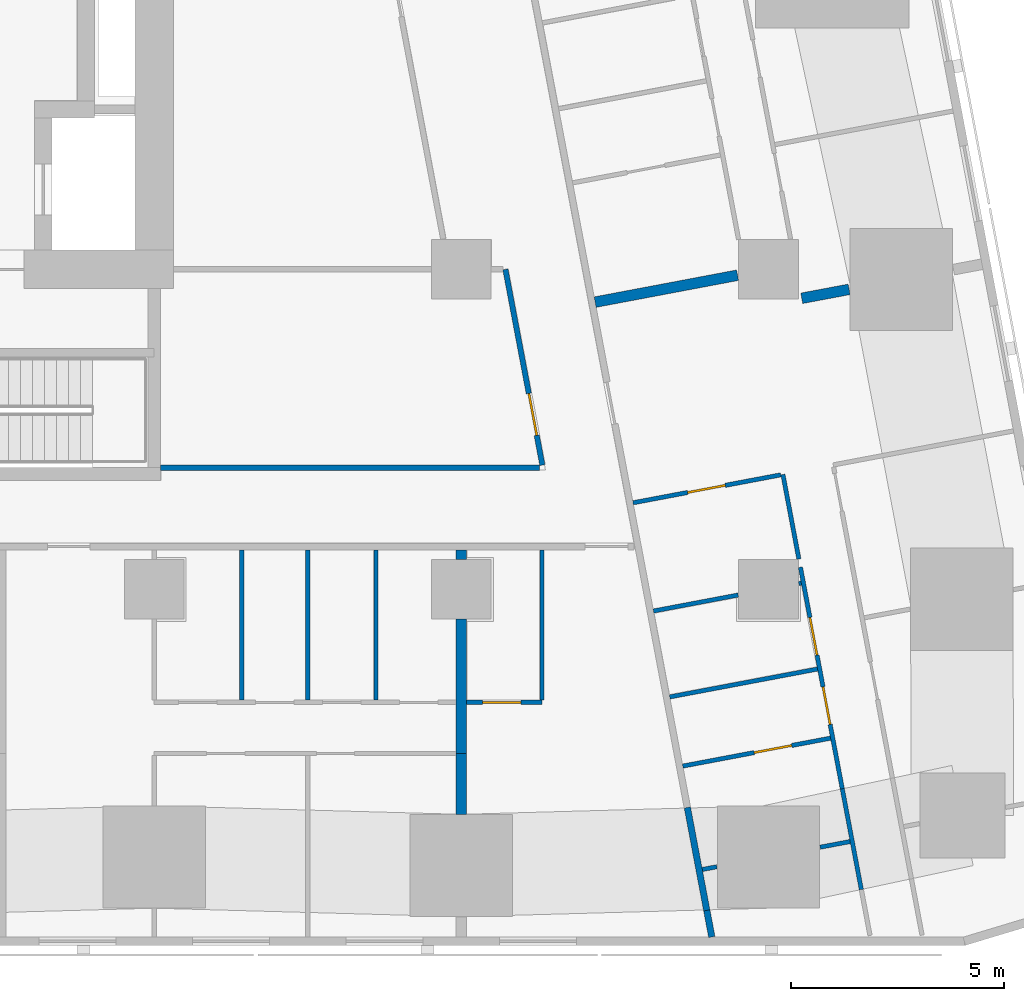
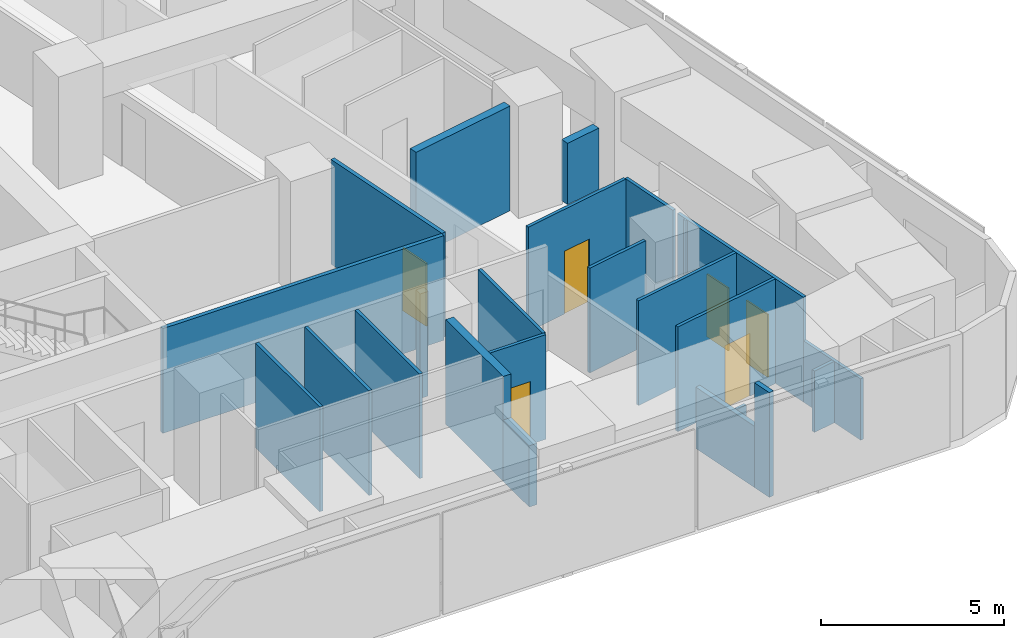
# One storey, part 3 of 10: 24 walls, 6 doors, 6 openings.
"""IFC4 building model written with IfcOpenShell, lengths in metres."""

from ifc_helpers import new_model, si_unit, direction, frame, frame_2d, origin, place, context, subcontext, project, spatial, rectangle, extrude, material, layer, layer_set, type_object, element, fill, save


model = new_model("IFC4")

# Units and contexts
model_context = context("Model", 3, precision=1e-05, world=origin(), true_north=direction((0.0, 1.0)))
body_context = subcontext(model_context, "Body", "Model", "MODEL_VIEW")
ifc_project = project(units=[si_unit("LENGTHUNIT", "METRE"), si_unit("AREAUNIT", "SQUARE_METRE"), si_unit("VOLUMEUNIT", "CUBIC_METRE"), si_unit("PLANEANGLEUNIT", "RADIAN"), si_unit("MASSUNIT", "GRAM", prefix="KILO")], contexts=[model_context])

# Site, building, storey
site_placement = place(None, origin())
site = spatial("IfcSite", under=ifc_project, at=site_placement, CompositionType="ELEMENT")
building_placement = place(site_placement, origin())
building = spatial("IfcBuilding", under=site, at=building_placement, Name="Sheger Commons Tower", CompositionType="ELEMENT")
storey_placement = place(building_placement, frame((0.0, 0.0, 231.199951171875)))
storey = spatial("IfcBuildingStorey", under=building, at=storey_placement, Name="L59", CompositionType="ELEMENT", Elevation=231.199951171875)

# Walls
ifc_material_1 = material(Name="Hollow concrete block masonry, skimmed both sides", Category="masonry")
ifc_layer_1 = layer(ifc_material_1, 0.14990234375)
ifc_layer_set_1 = layer_set([ifc_layer_1], Name="CORRIDOR WALL 150")
wall_type_1 = type_object("IfcWallType", Name="CORRIDOR WALL 150", PredefinedType="SOLIDWALL", material=ifc_layer_set_1)
wall_1_placement = place(storey_placement, frame((41.299072265625, 2.385009765625, 0.0), z_axis=(0.0, 0.0, 1.0), x_axis=(0.18529731833, -0.982682504077, 0.0)))
element("IfcWall", 1, at=wall_1_placement, inside=storey, type_object=wall_type_1, Name="Corridor wall L59", PredefinedType="SOLIDWALL", context=body_context, shape_type="SweptSolid", body=[
    extrude(rectangle(XDim=2.45458984375, YDim=0.14990234375, at=frame_2d((1.227294921875, 0.0))), origin(), (0.0, 0.0, 1.0), 2.050048828125),
])
wall_2_placement = place(storey_placement, frame((41.75390625, -0.027099609375, 0.0), z_axis=(0.0, 0.0, 1.0), x_axis=(0.186404157015, -0.982473149886, 0.0)))
element("IfcWall", 2, at=wall_2_placement, inside=storey, type_object=wall_type_1, Name="Corridor wall L59", PredefinedType="SOLIDWALL", context=body_context, shape_type="SweptSolid", body=[
    extrude(rectangle(XDim=0.634033203125, YDim=0.14990234375, at=frame_2d((0.31689453125, 0.0))), origin(), (0.0, 0.0, 1.0), 3.5),
])
ifc_material_2 = material(Name="Dense concrete block masonry, plastered both sides (separating wall between flats)", Category="masonry")
ifc_layer_2 = layer(ifc_material_2, 0.25)
ifc_layer_set_2 = layer_set([ifc_layer_2], Name="DEMISING WALL 250")
wall_type_2 = type_object("IfcWallType", Name="DEMISING WALL 250", PredefinedType="SOLIDWALL", material=ifc_layer_set_2)
wall_3_placement = place(storey_placement, frame((36.0, 2.22607421875, 0.0), z_axis=(0.0, 0.0, 1.0), x_axis=(0.0, 1.0, 0.0)))
element("IfcWall", 3, at=wall_3_placement, inside=storey, type_object=wall_type_2, Name="Demising wall L59", PredefinedType="SOLIDWALL", context=body_context, shape_type="SweptSolid", body=[
    extrude(rectangle(XDim=1.423828125, YDim=0.25, at=frame_2d((0.7119140625, 0.0))), origin(), (0.0, 0.0, 1.0), 2.050048828125),
])
wall_4_placement = place(storey_placement, frame((36.0, 3.64990234375, 0.0), z_axis=(0.0, 0.0, 1.0), x_axis=(0.0, 1.0, 0.0)))
element("IfcWall", 4, at=wall_4_placement, inside=storey, type_object=wall_type_2, Name="Demising wall L59", PredefinedType="SOLIDWALL", context=body_context, shape_type="SweptSolid", body=[
    extrude(rectangle(XDim=3.149169921875, YDim=0.25, at=frame_2d((1.57470703125, 0.0))), origin(), (0.0, 0.0, 1.0), 3.5),
])
wall_5_placement = place(storey_placement, frame((36.0, 8.200927734375, 0.0), z_axis=(0.0, 0.0, 1.0), x_axis=(0.0, 1.0, 0.0)))
element("IfcWall", 5, at=wall_5_placement, inside=storey, type_object=wall_type_2, Name="Demising wall L59", PredefinedType="SOLIDWALL", context=body_context, shape_type="SweptSolid", body=[
    extrude(rectangle(XDim=0.22412109375, YDim=0.25, at=frame_2d((0.112060546875, 0.0))), origin(), (0.0, 0.0, 1.0), 3.5),
])
wall_6_placement = place(storey_placement, frame((45.090087890625, 14.531005859375, 0.0), z_axis=(0.0, 0.0, 1.0), x_axis=(-0.982737354171, -0.185006196431, 0.0)))
element("IfcWall", 6, at=wall_6_placement, inside=storey, type_object=wall_type_2, Name="Demising wall L59", PredefinedType="SOLIDWALL", context=body_context, shape_type="SweptSolid", body=[
    extrude(rectangle(XDim=1.129638671875, YDim=0.25, at=frame_2d((0.56494140625, 0.0))), origin(), (0.0, 0.0, 1.0), 2.050048828125),
])
wall_7_placement = place(storey_placement, frame((42.47607421875, 14.863037109375, 0.0), z_axis=(0.0, 0.0, 1.0), x_axis=(-0.982603567712, -0.185715450942, 0.0)))
element("IfcWall", 7, at=wall_7_placement, inside=storey, type_object=wall_type_2, Name="Demising wall L59", PredefinedType="SOLIDWALL", context=body_context, shape_type="SweptSolid", body=[
    extrude(rectangle(XDim=3.398193359375, YDim=0.25, at=frame_2d((1.69921875, 0.0))), origin(), (0.0, 0.0, 1.0), 3.5),
])
ifc_material_3 = material(Name="Gypsum board on steel studs", Category="steel")
ifc_layer_3 = layer(ifc_material_3, 0.10009765625)
ifc_layer_set_3 = layer_set([ifc_layer_3], Name="PARTITION 100")
wall_type_3 = type_object("IfcWallType", Name="PARTITION 100", PredefinedType="PARTITIONING", material=ifc_layer_set_3)
for number, where, z_axis, x_axis, name in (
    (8, (32.39990234375, 4.89990234375, 0.0), (0.0, 0.0, 1.0), (0.0, 1.0, 0.0), "Partition L59"),
    (9, (30.85009765625, 4.89990234375, 0.0), (0.0, 0.0, 1.0), (0.0, 1.0, 0.0), "Partition L59"),
    (10, (34.0, 4.89990234375, 0.0), (0.0, 0.0, 1.0), (0.0, 1.0, 0.0), "Partition L59"),
):
    element("IfcWall", number, at=place(storey_placement, frame(where, z_axis=z_axis, x_axis=x_axis)), inside=storey, type_object=wall_type_3, Name=name, PredefinedType="PARTITIONING", context=body_context, shape_type="SweptSolid", body=[
        extrude(rectangle(XDim=3.525146484375, YDim=0.10009765625, at=frame_2d((1.7626953125, 0.0))), origin(), (0.0, 0.0, 1.0), 3.5),
    ])

# Wall, opening, door
wall_8_placement = place(storey_placement, frame((37.889892578125, 4.85009765625, 0.0), z_axis=(0.0, 0.0, 1.0), x_axis=(-1.0, 0.0, 0.0)))
wall_8 = element("IfcWall", 11, at=wall_8_placement, inside=storey, type_object=wall_type_3, Name="Partition L59", PredefinedType="PARTITIONING", context=body_context, shape_type="SweptSolid", body=[
    extrude(rectangle(XDim=1.764892578125, YDim=0.10009765625, at=frame_2d((0.88232421875, 0.0))), origin(), (0.0, 0.0, 1.0), 3.5),
])
opening_1_placement = place(wall_8_placement, frame((0.489990234375, 0.0, 0.0)))
opening_1 = element("IfcOpeningElement", 12, at=opening_1_placement, cuts=wall_8, Name="Opening D2", PredefinedType="OPENING", context=body_context, shape_type="SweptSolid", body=[
    extrude(rectangle(XDim=0.89990234375, YDim=2.10009765625, at=frame_2d((0.449951171875, 1.050048828125))), frame((0.0, 0.06005859375, 0.0), z_axis=(0.0, -1.0, 0.0), x_axis=(1.0, 0.0, 0.0)), (0.0, 0.0, 1.0), 0.1201171875),
])
ifc_material_4 = material(Name="Timber door set", Category="wood")
door_type_1 = type_object("IfcDoorType", Name="INTERNAL DOOR 900x2100", OperationType="NOTDEFINED", PredefinedType="DOOR", material=ifc_material_4)
door_1_placement = place(opening_1_placement, origin())
door_1 = element("IfcDoor", 13, at=door_1_placement, inside=storey, type_object=door_type_1, Name="Shower room door", OperationType="SINGLE_SWING_LEFT", OverallHeight=2.10009765625, OverallWidth=0.89990234375, PredefinedType="DOOR", context=body_context, shape_type="SweptSolid", body=[
    extrude(rectangle(XDim=0.89990234375, YDim=2.10009765625, at=frame_2d((0.449951171875, 1.050048828125))), frame((0.0, 0.02490234375, 0.0), z_axis=(0.0, -1.0, 0.0), x_axis=(1.0, 0.0, 0.0)), (0.0, 0.0, 1.0), 0.050048828125),
])
fill(opening_1, door_1)

# Walls
wall_9_placement = place(storey_placement, frame((37.889892578125, 4.89990234375, 0.0), z_axis=(0.0, 0.0, 1.0), x_axis=(0.0, 1.0, 0.0)))
element("IfcWall", 14, at=wall_9_placement, inside=storey, type_object=wall_type_3, Name="Partition L59", PredefinedType="PARTITIONING", context=body_context, shape_type="SweptSolid", body=[
    extrude(rectangle(XDim=3.525146484375, YDim=0.10009765625, at=frame_2d((1.7626953125, 0.0))), origin(), (0.0, 0.0, 1.0), 3.5),
])
wall_10_placement = place(storey_placement, frame((43.5390625, 10.19189453125, 0.0), z_axis=(0.0, 0.0, 1.0), x_axis=(0.185443145218, -0.982654995353, 0.0)))
element("IfcWall", 15, at=wall_10_placement, inside=storey, type_object=wall_type_3, Name="Partition L59", PredefinedType="PARTITIONING", context=body_context, shape_type="SweptSolid", body=[
    extrude(rectangle(XDim=2.016845703125, YDim=0.10009765625, at=frame_2d((1.00830078125, 0.0))), origin(), (0.0, 0.0, 1.0), 3.5),
])

# Wall, openings, doors
wall_11_placement = place(storey_placement, frame((43.948974609375, 8.02001953125, 0.0), z_axis=(0.0, 0.0, 1.0), x_axis=(0.185656792073, -0.982614652627, 0.0)))
wall_11 = element("IfcWall", 16, at=wall_11_placement, inside=storey, type_object=wall_type_3, Name="Partition L59", PredefinedType="PARTITIONING", context=body_context, shape_type="SweptSolid", body=[
    extrude(rectangle(XDim=5.2890625, YDim=0.10009765625, at=frame_2d((2.64453125, 0.0))), origin(), (0.0, 0.0, 1.0), 3.5),
])
opening_2_placement = place(wall_11_placement, frame((1.199951171875, 0.0, 0.0)))
opening_2 = element("IfcOpeningElement", 17, at=opening_2_placement, cuts=wall_11, Name="Opening D2", PredefinedType="OPENING", context=body_context, shape_type="SweptSolid", body=[
    extrude(rectangle(XDim=0.89990234375, YDim=2.10009765625, at=frame_2d((0.449951171875, 1.050048828125))), frame((0.0, 0.06005859375, 0.0), z_axis=(0.0, -1.0, 0.0), x_axis=(1.0, 0.0, 0.0)), (0.0, 0.0, 1.0), 0.1201171875),
])
opening_3_placement = place(wall_11_placement, frame((2.85498046875, 0.0, 0.0)))
opening_3 = element("IfcOpeningElement", 18, at=opening_3_placement, cuts=wall_11, Name="Opening D2", PredefinedType="OPENING", context=body_context, shape_type="SweptSolid", body=[
    extrude(rectangle(XDim=0.89990234375, YDim=2.10009765625, at=frame_2d((0.449951171875, 1.050048828125))), frame((0.0, 0.06005859375, 0.0), z_axis=(0.0, -1.0, 0.0), x_axis=(1.0, 0.0, 0.0)), (0.0, 0.0, 1.0), 0.1201171875),
])
door_2_placement = place(opening_2_placement, origin())
door_2 = element("IfcDoor", 19, at=door_2_placement, inside=storey, type_object=door_type_1, Name="Bathroom door", OperationType="SINGLE_SWING_LEFT", OverallHeight=2.10009765625, OverallWidth=0.89990234375, PredefinedType="DOOR", context=body_context, shape_type="SweptSolid", body=[
    extrude(rectangle(XDim=0.89990234375, YDim=2.10009765625, at=frame_2d((0.449951171875, 1.050048828125))), frame((0.0, 0.02490234375, 0.0), z_axis=(0.0, -1.0, 0.0), x_axis=(1.0, 0.0, 0.0)), (0.0, 0.0, 1.0), 0.050048828125),
])
fill(opening_2, door_2)
door_3_placement = place(opening_3_placement, origin())
door_3 = element("IfcDoor", 20, at=door_3_placement, inside=storey, type_object=door_type_1, Name="Store door", OperationType="SINGLE_SWING_LEFT", OverallHeight=2.10009765625, OverallWidth=0.89990234375, PredefinedType="DOOR", context=body_context, shape_type="SweptSolid", body=[
    extrude(rectangle(XDim=0.89990234375, YDim=2.10009765625, at=frame_2d((0.449951171875, 1.050048828125))), frame((0.0, 0.02490234375, 0.0), z_axis=(0.0, -1.0, 0.0), x_axis=(1.0, 0.0, 0.0)), (0.0, 0.0, 1.0), 0.050048828125),
])
fill(opening_3, door_3)

# Wall
wall_12_placement = place(storey_placement, frame((44.930908203125, 2.822998046875, 0.0), z_axis=(0.0, 0.0, 1.0), x_axis=(0.185631845838, -0.982619365681, 0.0)))
element("IfcWall", 21, at=wall_12_placement, inside=storey, type_object=wall_type_3, Name="Partition L59", PredefinedType="PARTITIONING", context=body_context, shape_type="SweptSolid", body=[
    extrude(rectangle(XDim=2.40283203125, YDim=0.10009765625, at=frame_2d((1.201416015625, 0.0))), origin(), (0.0, 0.0, 1.0), 2.050048828125),
])

# Wall, opening, door
wall_13_placement = place(storey_placement, frame((43.489990234375, 10.18310546875, 0.0), z_axis=(0.0, 0.0, 1.0), x_axis=(-0.982588017646, -0.185797706064, 0.0)))
wall_13 = element("IfcWall", 22, at=wall_13_placement, inside=storey, type_object=wall_type_3, Name="Partition L59", PredefinedType="PARTITIONING", context=body_context, shape_type="SweptSolid", body=[
    extrude(rectangle(XDim=3.525390625, YDim=0.10009765625, at=frame_2d((1.7626953125, 0.0))), origin(), (0.0, 0.0, 1.0), 3.5),
])
opening_4_placement = place(wall_13_placement, frame((1.324951171875, 0.0, 0.0)))
opening_4 = element("IfcOpeningElement", 23, at=opening_4_placement, cuts=wall_13, Name="Opening D2", PredefinedType="OPENING", context=body_context, shape_type="SweptSolid", body=[
    extrude(rectangle(XDim=0.89990234375, YDim=2.10009765625, at=frame_2d((0.449951171875, 1.050048828125))), frame((0.0, 0.06005859375, 0.0), z_axis=(0.0, -1.0, 0.0), x_axis=(1.0, 0.0, 0.0)), (0.0, 0.0, 1.0), 0.1201171875),
])
door_4_placement = place(opening_4_placement, origin())
door_4 = element("IfcDoor", 24, at=door_4_placement, inside=storey, type_object=door_type_1, Name="Store door", OperationType="SINGLE_SWING_RIGHT", OverallHeight=2.10009765625, OverallWidth=0.89990234375, PredefinedType="DOOR", context=body_context, shape_type="SweptSolid", body=[
    extrude(rectangle(XDim=0.89990234375, YDim=2.10009765625, at=frame_2d((0.449951171875, 1.050048828125))), frame((0.0, 0.02490234375, 0.0), z_axis=(0.0, -1.0, 0.0), x_axis=(1.0, 0.0, 0.0)), (0.0, 0.0, 1.0), 0.050048828125),
])
fill(opening_4, door_4)

# Walls
wall_14_placement = place(storey_placement, frame((43.968994140625, 7.64599609375, 0.0), z_axis=(0.0, 0.0, 1.0), x_axis=(-0.983147034646, -0.182816597351, 0.0)))
element("IfcWall", 25, at=wall_14_placement, inside=storey, type_object=wall_type_3, Name="Partition L59", PredefinedType="PARTITIONING", context=body_context, shape_type="SweptSolid", body=[
    extrude(rectangle(XDim=0.06005859375, YDim=0.10009765625, at=frame_2d((0.030029296875, 0.0))), origin(), (0.0, 0.0, 1.0), 3.5),
])
wall_15_placement = place(storey_placement, frame((42.489990234375, 7.365966796875, 0.0), z_axis=(0.0, 0.0, 1.0), x_axis=(-0.982620917875, -0.185623629302, 0.0)))
element("IfcWall", 26, at=wall_15_placement, inside=storey, type_object=wall_type_3, Name="Partition L59", PredefinedType="PARTITIONING", context=body_context, shape_type="SweptSolid", body=[
    extrude(rectangle(XDim=2.020263671875, YDim=0.10009765625, at=frame_2d((1.01025390625, 0.0))), origin(), (0.0, 0.0, 1.0), 3.5),
])
wall_16_placement = place(storey_placement, frame((45.114013671875, 1.5869140625, 0.0), z_axis=(0.0, 0.0, 1.0), x_axis=(-0.982671022916, -0.185358195723, 0.0)))
element("IfcWall", 27, at=wall_16_placement, inside=storey, type_object=wall_type_3, Name="Partition L59", PredefinedType="PARTITIONING", context=body_context, shape_type="SweptSolid", body=[
    extrude(rectangle(XDim=0.716552734375, YDim=0.10009765625, at=frame_2d((0.3583984375, 0.0))), origin(), (0.0, 0.0, 1.0), 2.050048828125),
])
wall_17_placement = place(storey_placement, frame((41.989990234375, 0.99609375, 0.0), z_axis=(0.0, 0.0, 1.0), x_axis=(-0.982639822555, -0.185523527159, 0.0)))
element("IfcWall", 28, at=wall_17_placement, inside=storey, type_object=wall_type_3, Name="Partition L59", PredefinedType="PARTITIONING", context=body_context, shape_type="SweptSolid", body=[
    extrude(rectangle(XDim=0.34619140625, YDim=0.10009765625, at=frame_2d((0.173095703125, 0.0))), origin(), (0.0, 0.0, 1.0), 2.050048828125),
])
wall_18_placement = place(storey_placement, frame((44.35009765625, 5.631103515625, 0.0), z_axis=(0.0, 0.0, 1.0), x_axis=(-0.982638553676, -0.185530247748, 0.0)))
element("IfcWall", 29, at=wall_18_placement, inside=storey, type_object=wall_type_3, Name="Partition L59", PredefinedType="PARTITIONING", context=body_context, shape_type="SweptSolid", body=[
    extrude(rectangle(XDim=3.525390625, YDim=0.10009765625, at=frame_2d((1.7626953125, 0.0))), origin(), (0.0, 0.0, 1.0), 3.5),
])

# Wall, opening, door
wall_19_placement = place(storey_placement, frame((41.19189453125, 3.35595703125, 0.0), z_axis=(0.0, 0.0, 1.0), x_axis=(0.982588017646, 0.185797706064, 0.0)))
wall_19 = element("IfcWall", 30, at=wall_19_placement, inside=storey, type_object=wall_type_3, Name="Partition L59", PredefinedType="PARTITIONING", context=body_context, shape_type="SweptSolid", body=[
    extrude(rectangle(XDim=3.525390625, YDim=0.10009765625, at=frame_2d((1.7626953125, 0.0))), origin(), (0.0, 0.0, 1.0), 3.5),
])
opening_5_placement = place(wall_19_placement, frame((1.699951171875, 0.0, 0.0)))
opening_5 = element("IfcOpeningElement", 31, at=opening_5_placement, cuts=wall_19, Name="Opening D2", PredefinedType="OPENING", context=body_context, shape_type="SweptSolid", body=[
    extrude(rectangle(XDim=0.89990234375, YDim=2.10009765625, at=frame_2d((0.449951171875, 1.050048828125))), frame((0.0, 0.06005859375, 0.0), z_axis=(0.0, -1.0, 0.0), x_axis=(1.0, 0.0, 0.0)), (0.0, 0.0, 1.0), 0.1201171875),
])
door_5_placement = place(opening_5_placement, origin())
door_5 = element("IfcDoor", 32, at=door_5_placement, inside=storey, type_object=door_type_1, Name="Store door", OperationType="SINGLE_SWING_RIGHT", OverallHeight=2.10009765625, OverallWidth=0.89990234375, PredefinedType="DOOR", context=body_context, shape_type="SweptSolid", body=[
    extrude(rectangle(XDim=0.89990234375, YDim=2.10009765625, at=frame_2d((0.449951171875, 1.050048828125))), frame((0.0, 0.02490234375, 0.0), z_axis=(0.0, -1.0, 0.0), x_axis=(1.0, 0.0, 0.0)), (0.0, 0.0, 1.0), 0.050048828125),
])
fill(opening_5, door_5)

# Wall
ifc_material_5 = material(Name="Gypsum board on steel studs, two layers each side, fire rated", Category="steel")
ifc_layer_4 = layer(ifc_material_5, 0.125)
ifc_layer_set_4 = layer_set([ifc_layer_4], Name="SERVICE WALL 125")
wall_type_4 = type_object("IfcWallType", Name="SERVICE WALL 125", PredefinedType="PARTITIONING", material=ifc_layer_set_4)
wall_20_placement = place(storey_placement, frame((28.949951171875, 10.35009765625, 0.0), z_axis=(0.0, 0.0, 1.0), x_axis=(1.0, 0.0, 0.0)))
element("IfcWall", 33, at=wall_20_placement, inside=storey, type_object=wall_type_4, Name="Service room wall L59", PredefinedType="PARTITIONING", context=body_context, shape_type="SweptSolid", body=[
    extrude(rectangle(XDim=8.885986328125, YDim=0.125, at=frame_2d((4.44287109375, 0.0))), origin(), (0.0, 0.0, 1.0), 3.5),
])

# Wall, opening, door
wall_21_placement = place(storey_placement, frame((37.89990234375, 10.4130859375, 0.0), z_axis=(0.0, 0.0, 1.0), x_axis=(-0.185513629891, 0.982641691119, 0.0)))
wall_21 = element("IfcWall", 34, at=wall_21_placement, inside=storey, type_object=wall_type_4, Name="Service room wall L59", PredefinedType="PARTITIONING", context=body_context, shape_type="SweptSolid", body=[
    extrude(rectangle(XDim=4.66796875, YDim=0.125, at=frame_2d((2.333984375, 0.0))), origin(), (0.0, 0.0, 1.0), 3.5),
])
opening_6_placement = place(wall_21_placement, frame((0.7080078125, 0.0, 0.0)))
opening_6 = element("IfcOpeningElement", 35, at=opening_6_placement, cuts=wall_21, Name="Opening D4", PredefinedType="OPENING", context=body_context, shape_type="SweptSolid", body=[
    extrude(rectangle(XDim=1.0, YDim=2.10009765625, at=frame_2d((0.5, 1.050048828125))), frame((0.0, 0.072509765625, 0.0), z_axis=(0.0, -1.0, 0.0), x_axis=(1.0, 0.0, 0.0)), (0.0, 0.0, 1.0), 0.14501953125),
])
ifc_material_6 = material(Name="Steel door set, fire rated", Category="steel")
door_type_2 = type_object("IfcDoorType", Name="SERVICE DOOR 1000x2100", OperationType="NOTDEFINED", PredefinedType="DOOR", material=ifc_material_6)
door_6_placement = place(opening_6_placement, origin())
door_6 = element("IfcDoor", 36, at=door_6_placement, inside=storey, type_object=door_type_2, Name="Parcel and delivery room door", OperationType="SINGLE_SWING_LEFT", OverallHeight=2.10009765625, OverallWidth=1.0, PredefinedType="DOOR", context=body_context, shape_type="SweptSolid", body=[
    extrude(rectangle(XDim=1.0, YDim=2.10009765625, at=frame_2d((0.5, 1.050048828125))), frame((0.0, 0.02490234375, 0.0), z_axis=(0.0, -1.0, 0.0), x_axis=(1.0, 0.0, 0.0)), (0.0, 0.0, 1.0), 0.050048828125),
])
fill(opening_6, door_6)

save(model, "model.ifc")
